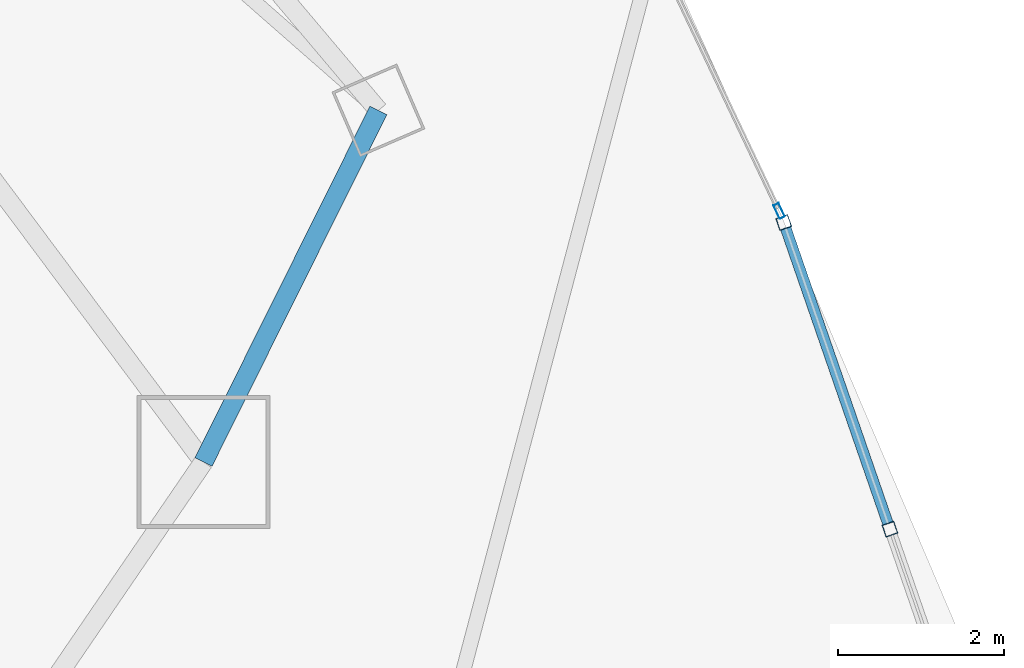
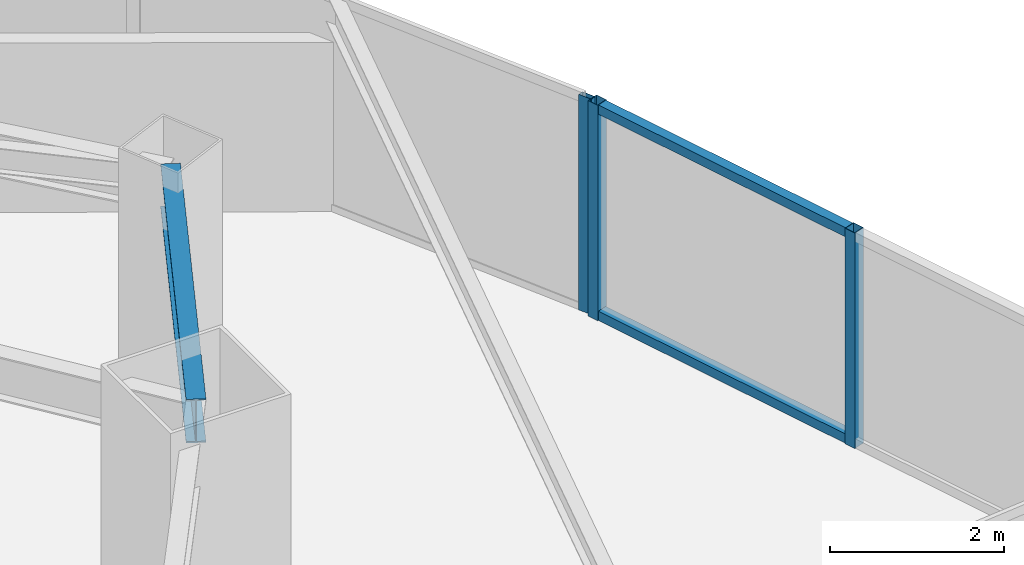
# One storey, part 18 of 38: 5 members, 1 beam, 2 elements without a shape of their own.
"""IFC4 building model written with IfcOpenShell, lengths in metres."""

from ifc_helpers import new_model, si_unit, direction, frame, origin, origin_2d, place, context, subcontext, project, spatial, hollow_rectangle, i_section, extrude, material, layer, layer_set, material_profile, profile_set, type_object, element, aggregate, save


model = new_model("IFC4")

# Units and contexts
model_context = context("Model", 3, precision=1e-05, world=origin(), true_north=direction((0.0, 1.0)))
body_context = subcontext(model_context, "Body", "Model", "MODEL_VIEW")
ifc_project = project(units=[si_unit("LENGTHUNIT", "METRE"), si_unit("AREAUNIT", "SQUARE_METRE"), si_unit("VOLUMEUNIT", "CUBIC_METRE"), si_unit("PLANEANGLEUNIT", "RADIAN"), si_unit("MASSUNIT", "GRAM", prefix="KILO")], contexts=[model_context])

# Site, building, storey
site_placement = place(None, origin())
site = spatial("IfcSite", under=ifc_project, at=site_placement, CompositionType="ELEMENT")
building_placement = place(site_placement, origin())
building = spatial("IfcBuilding", under=site, at=building_placement, Name="Orvanel Arch Residences", CompositionType="ELEMENT")
storey_placement = place(building_placement, frame((0.0, 0.0, 56.60009765625)))
storey = spatial("IfcBuildingStorey", under=building, at=storey_placement, Name="L15", CompositionType="ELEMENT", Elevation=56.60009765625)

# Curtain wall, members
ifc_material_1 = material(Name="Bronze-anodised aluminium AA6063-T6", Category="aluminium")
ifc_layer_1 = layer(ifc_material_1, 0.18994140625)
ifc_layer_set_1 = layer_set([ifc_layer_1], Name="Bronze-anodised aluminium AA6063-T6")
curtain_wall_type_1 = type_object("IfcCurtainWallType", Name="CW5-CRN-SYS", PredefinedType="NOTDEFINED", material=ifc_layer_set_1)
curtain_wall_1_placement = place(storey_placement, origin())
curtain_wall_1 = element("IfcCurtainWall", 1, at=curtain_wall_1_placement, inside=storey, type_object=curtain_wall_type_1, Name="L15 CW5-CRN-SYS Unitised Curtain Wall", PredefinedType="NOTDEFINED")
ifc_material_profile_1 = material_profile(ifc_material_1, hollow_rectangle(XDim=0.14990234375, YDim=0.14990234375, WallThickness=0.0048828125, at=origin_2d()), Name="ALU150x150x5")
ifc_profile_set_1 = profile_set([ifc_material_profile_1], Name="Bronze-anodised aluminium AA6063-T6")
member_type_1 = type_object("IfcMemberType", Name="MUL-150x150", PredefinedType="MULLION", material=ifc_profile_set_1)
member_1_placement = place(storey_placement, frame((60.0576171875, 9.54248046875, 0.0), z_axis=(0.0, 0.0, 1.0), x_axis=(-0.944975613597, -0.327140779645, 0.0)))
member_1 = element("IfcMember", 2, at=member_1_placement, type_object=member_type_1, Name="CW-S5 mullion 2", PredefinedType="MULLION", context=body_context, shape_type="SweptSolid", body=[
    extrude(hollow_rectangle(XDim=0.14990234375, YDim=0.14990234375, WallThickness=0.0048828125, at=origin_2d()), origin(), (0.0, 0.0, 1.0), 3.02001953125),
])
member_2_placement = place(storey_placement, frame((58.780517578125, 13.231201171875, 0.0), z_axis=(0.0, 0.0, 1.0), x_axis=(-0.944975613597, -0.327140779645, 0.0)))
member_2 = element("IfcMember", 3, at=member_2_placement, type_object=member_type_1, Name="CW-S5 mullion 3", PredefinedType="MULLION", context=body_context, shape_type="SweptSolid", body=[
    extrude(hollow_rectangle(XDim=0.14990234375, YDim=0.14990234375, WallThickness=0.0048828125, at=origin_2d()), origin(), (0.0, 0.0, 1.0), 3.02001953125),
])

# Curtain wall, member
ifc_layer_2 = layer(ifc_material_1, 0.179931640625)
ifc_layer_set_2 = layer_set([ifc_layer_2], Name="Bronze-anodised aluminium AA6063-T6")
curtain_wall_type_2 = type_object("IfcCurtainWallType", Name="CW2-LOW-SYS", PredefinedType="NOTDEFINED", material=ifc_layer_set_2)
curtain_wall_2_placement = place(storey_placement, origin())
curtain_wall_2 = element("IfcCurtainWall", 4, at=curtain_wall_2_placement, inside=storey, type_object=curtain_wall_type_2, Name="L15 CW2-LOW-SYS Unitised Curtain Wall", PredefinedType="NOTDEFINED")
ifc_material_profile_2 = material_profile(ifc_material_1, hollow_rectangle(XDim=0.070068359375, YDim=0.179931640625, WallThickness=0.00439453125, at=origin_2d()), Name="ALU180x70x4.5")
ifc_profile_set_2 = profile_set([ifc_material_profile_2], Name="Bronze-anodised aluminium AA6063-T6")
member_type_2 = type_object("IfcMemberType", Name="MUL-180x70", PredefinedType="MULLION", material=ifc_profile_set_2)
member_3_placement = place(storey_placement, frame((58.72509765625, 13.37060546875, 0.0), z_axis=(0.0, 0.0, 1.0), x_axis=(-0.903672014466, -0.428225279813, 0.0)))
member_3 = element("IfcMember", 5, at=member_3_placement, type_object=member_type_2, Name="CW-S2 mullion 1", PredefinedType="MULLION", context=body_context, shape_type="SweptSolid", body=[
    extrude(hollow_rectangle(XDim=0.070068359375, YDim=0.179931640625, WallThickness=0.00439453125, at=origin_2d()), origin(), (0.0, 0.0, 1.0), 3.02001953125),
])
aggregate(curtain_wall_2, [member_3])

# Beam
ifc_material_2 = material(Name="Structural steel AS/NZS 3679.1 Grade 300 (300 MPa)", Category="steel")
ifc_material_profile_3 = material_profile(ifc_material_2, i_section(OverallWidth=0.22900390625, OverallDepth=0.612060546875, WebThickness=0.011962890625, FlangeThickness=0.01953125, at=origin_2d()), Name="610UB125")
ifc_profile_set_3 = profile_set([ifc_material_profile_3], Name="Structural steel AS/NZS 3679.1 Grade 300 (300 MPa)")
beam_type = type_object("IfcBeamType", Name="SP-610UB", PredefinedType="SPANDREL", material=ifc_profile_set_3)
beam_placement = place(storey_placement, frame((51.801025390625, 10.35107421875, 2.7138671875), z_axis=(0.44543469453, 0.895314432425, 0.0), x_axis=(-0.895314432425, 0.44543469453, 0.0)))
element("IfcBeam", 6, at=beam_placement, inside=storey, type_object=beam_type, Name="L15 Perimeter Spandrel Beam 11", PredefinedType="SPANDREL", context=body_context, shape_type="SweptSolid", body=[
    extrude(i_section(OverallWidth=0.22900390625, OverallDepth=0.612060546875, WebThickness=0.011962890625, FlangeThickness=0.01953125, at=origin_2d()), origin(), (0.0, 0.0, 1.0), 4.723388671875),
])

# Member
ifc_material_profile_4 = material_profile(ifc_material_1, hollow_rectangle(XDim=0.1298828125, YDim=0.1298828125, WallThickness=0.00439453125, at=origin_2d()), Name="ALU130x130x4.5")
ifc_profile_set_4 = profile_set([ifc_material_profile_4], Name="Bronze-anodised aluminium AA6063-T6")
member_type_3 = type_object("IfcMemberType", Name="TRN-130x130", PredefinedType="USERDEFINED", material=ifc_profile_set_4)
member_4_placement = place(storey_placement, frame((60.032958984375, 9.61328125, 0.06494140625), z_axis=(-0.327115032015, 0.944984526767, 0.0), x_axis=(-0.944984526767, -0.327115032015, 0.0)))
member_4 = element("IfcMember", 7, at=member_4_placement, type_object=member_type_3, Name="CW-S5 transom 2.1", ObjectType="TRANSOM", PredefinedType="USERDEFINED", context=body_context, shape_type="SweptSolid", body=[
    extrude(hollow_rectangle(XDim=0.1298828125, YDim=0.1298828125, WallThickness=0.00439453125, at=origin_2d()), origin(), (0.0, 0.0, 1.0), 3.75341796875),
])

member_5_placement = place(storey_placement, frame((60.032958984375, 9.61328125, 2.954833984375), z_axis=(-0.327115032015, 0.944984526767, 0.0), x_axis=(-0.944984526767, -0.327115032015, 0.0)))
member_5 = element("IfcMember", 8, at=member_5_placement, type_object=member_type_3, Name="CW-S5 transom 2.2", ObjectType="TRANSOM", PredefinedType="USERDEFINED", context=body_context, shape_type="SweptSolid", body=[
    extrude(hollow_rectangle(XDim=0.1298828125, YDim=0.1298828125, WallThickness=0.00439453125, at=origin_2d()), origin(), (0.0, 0.0, 1.0), 3.75341796875),
])

aggregate(curtain_wall_1, [member_1, member_2, member_4, member_5])

save(model, "model.ifc")
